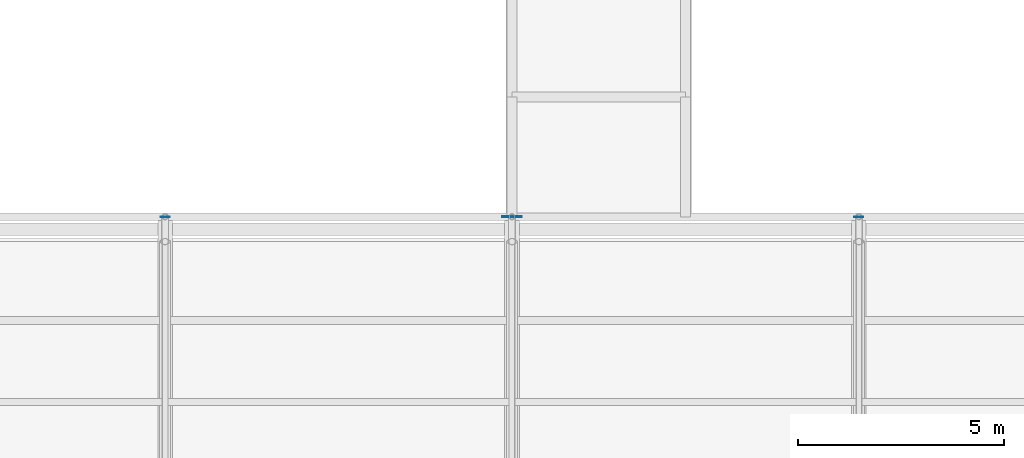
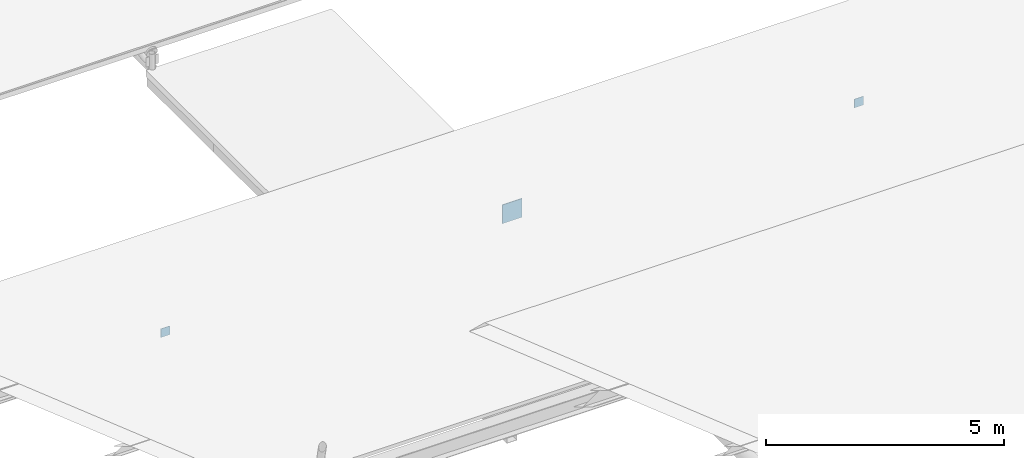
# One storey, part 162 of 194: 3 plates.
"""IFC4 building model written with IfcOpenShell, lengths in metres."""

from ifc_helpers import new_model, si_unit, direction, frame, origin, origin_2d, place, context, subcontext, project, spatial, rectangle, extrude, material, layer, layer_set, type_object, element, save


model = new_model("IFC4")

# Units and contexts
model_context = context("Model", 3, precision=1e-05, world=origin(), true_north=direction((0.0, 1.0)))
body_context = subcontext(model_context, "Body", "Model", "MODEL_VIEW")
ifc_project = project(units=[si_unit("LENGTHUNIT", "METRE"), si_unit("AREAUNIT", "SQUARE_METRE"), si_unit("VOLUMEUNIT", "CUBIC_METRE"), si_unit("PLANEANGLEUNIT", "RADIAN"), si_unit("MASSUNIT", "GRAM", prefix="KILO")], contexts=[model_context])

# Site, building, storey
site_placement = place(None, origin())
site = spatial("IfcSite", under=ifc_project, at=site_placement, CompositionType="ELEMENT")
building_placement = place(site_placement, origin())
building = spatial("IfcBuilding", under=site, at=building_placement, Name="Kazenagashi Tramway Depot", CompositionType="ELEMENT")
storey_placement = place(building_placement, frame((0.0, 0.0, 23.7)))
storey = spatial("IfcBuildingStorey", under=building, at=storey_placement, Name="ROOF", CompositionType="ELEMENT", Elevation=23.7)

# Plates
ifc_material_1 = material(Name="Steel STK490", Category="steel")
ifc_layer_1 = layer(ifc_material_1, 0.012)
ifc_layer_set_1 = layer_set([ifc_layer_1], Name="Steel STK490")
plate_type_1 = type_object("IfcPlateType", Name="EC-03", PredefinedType="USERDEFINED", material=ifc_layer_set_1)
for number, where, z_axis, x_axis, name in (
    (1, (78.4, 54.9, -8.86), (0.0, 0.0, 1.0), (1.0, 0.0, 0.0), "Structural Node Plate EC-03 PLT-0082"),
    (2, (95.2, 54.9, -8.86), (0.0, 0.0, 1.0), (1.0, 0.0, 0.0), "Structural Node Plate EC-03 PLT-0084"),
):
    element("IfcPlate", number, at=place(storey_placement, frame(where, z_axis=z_axis, x_axis=x_axis)), inside=storey, type_object=plate_type_1, Name=name, ObjectType="END CAP PLATE", PredefinedType="USERDEFINED", context=body_context, shape_type="SweptSolid", body=[
        extrude(rectangle(XDim=0.22, YDim=0.012, at=origin_2d()), origin(), (0.0, 0.0, 1.0), 0.22),
    ])
ifc_material_2 = material(Name="Steel SN490B", Category="steel")
ifc_layer_2 = layer(ifc_material_2, 0.019)
ifc_layer_set_2 = layer_set([ifc_layer_2], Name="Steel SN490B")
plate_type_2 = type_object("IfcPlateType", Name="GP-02", PredefinedType="USERDEFINED", material=ifc_layer_set_2)
plate_placement = place(storey_placement, frame((86.8, 54.9, -8.84), z_axis=(0.0, 0.0, 1.0), x_axis=(1.0, 0.0, 0.0)))
element("IfcPlate", 3, at=plate_placement, inside=storey, type_object=plate_type_2, Name="Structural Node Plate GP-02 PLT-0123", ObjectType="GUSSET PLATE", PredefinedType="USERDEFINED", context=body_context, shape_type="SweptSolid", body=[
    extrude(rectangle(XDim=0.48, YDim=0.019, at=origin_2d()), origin(), (0.0, 0.0, 1.0), 0.48),
])

save(model, "model.ifc")
